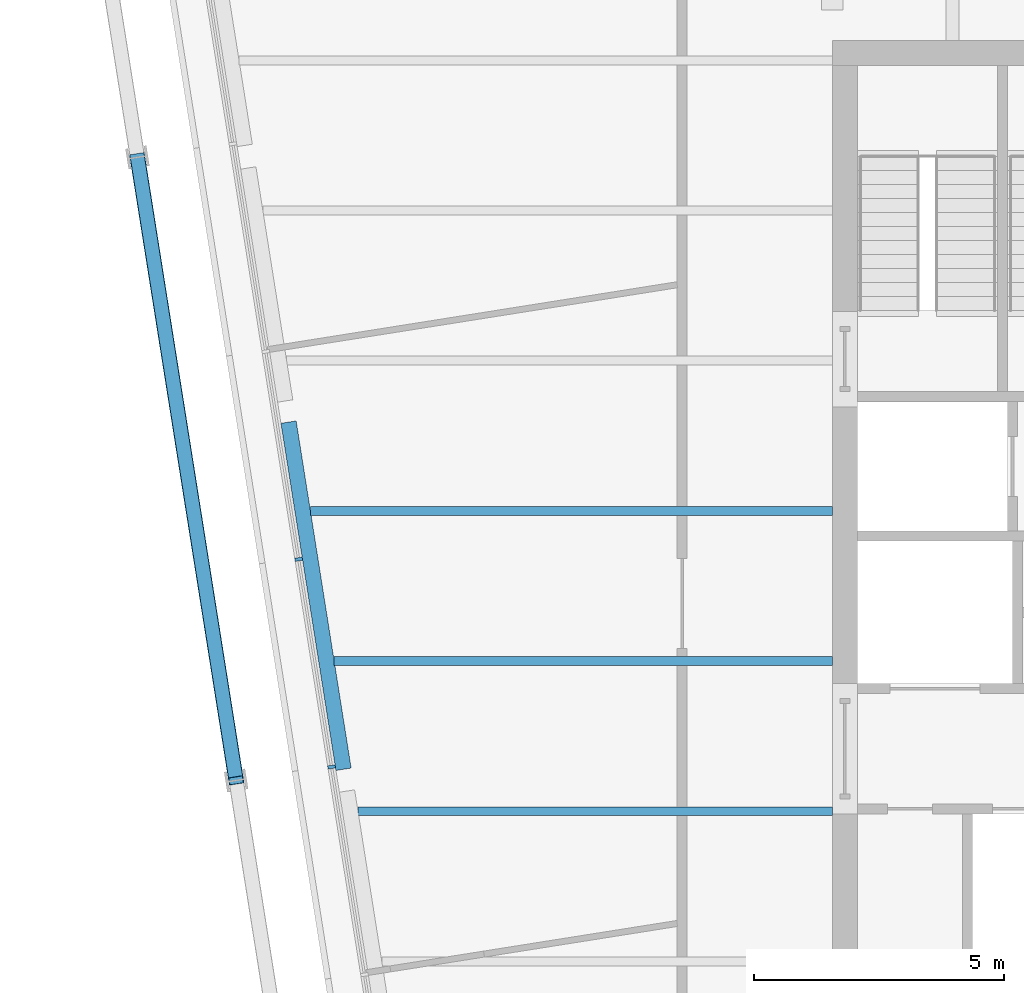
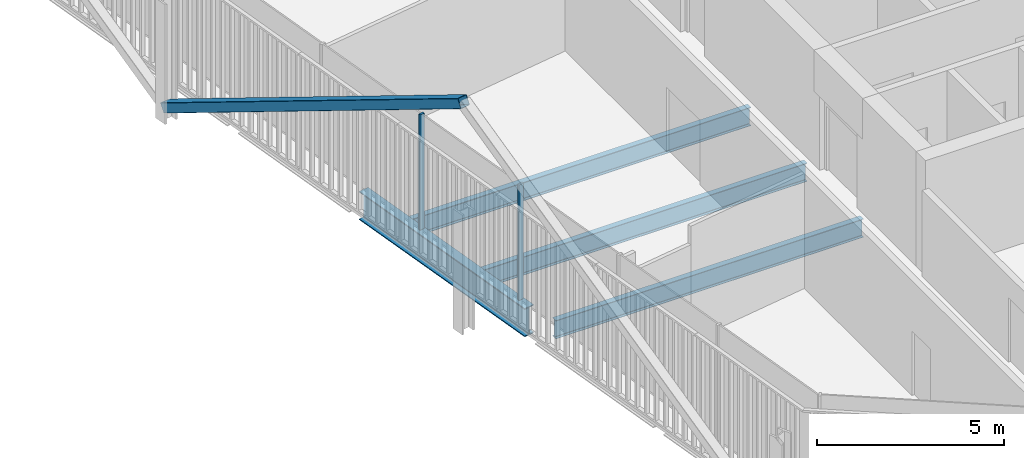
# One storey, part 5 of 20: 4 beams, 3 members, 1 element without a shape of its own.
"""IFC4 building model written with IfcOpenShell, lengths in metres."""

from ifc_helpers import new_model, si_unit, direction, frame, origin, origin_2d, place, context, subcontext, project, spatial, rectangle, hollow_rectangle, i_section, extrude, material, layer, layer_set, material_profile, profile_set, type_object, element, aggregate, save


model = new_model("IFC4")

# Units and contexts
model_context = context("Model", 3, precision=1e-05, world=origin(), true_north=direction((0.0, 1.0)))
body_context = subcontext(model_context, "Body", "Model", "MODEL_VIEW")
ifc_project = project(units=[si_unit("LENGTHUNIT", "METRE"), si_unit("AREAUNIT", "SQUARE_METRE"), si_unit("VOLUMEUNIT", "CUBIC_METRE"), si_unit("PLANEANGLEUNIT", "RADIAN"), si_unit("MASSUNIT", "GRAM", prefix="KILO")], contexts=[model_context])

# Site, building, storey
site_placement = place(None, origin())
site = spatial("IfcSite", under=ifc_project, at=site_placement, CompositionType="ELEMENT")
building_placement = place(site_placement, origin())
building = spatial("IfcBuilding", under=site, at=building_placement, Name="Millrace Tower", CompositionType="ELEMENT")
storey_placement = place(building_placement, frame((0.0, 0.0, 204.699951171875)))
storey = spatial("IfcBuildingStorey", under=building, at=storey_placement, Name="L46", CompositionType="ELEMENT", Elevation=204.699951171875)

# Curtain wall, members
ifc_material_1 = material(Name="Aluminium and glass", Category="aluminium")
ifc_layer = layer(ifc_material_1, 0.14990234375)
ifc_layer_set = layer_set([ifc_layer], Name="Aluminium and glass")
curtain_wall_type = type_object("IfcCurtainWallType", Name="CW-1 office vision curtain wall", PredefinedType="NOTDEFINED", material=ifc_layer_set)
curtain_wall_placement = place(storey_placement, origin())
curtain_wall = element("IfcCurtainWall", 1, at=curtain_wall_placement, inside=storey, type_object=curtain_wall_type, Name="Curtain wall D-F08 L46", PredefinedType="NOTDEFINED")
ifc_material_2 = material(Name="Aluminium", Category="aluminium")
ifc_material_profile_1 = material_profile(ifc_material_2, rectangle(XDim=0.06494140625, YDim=0.14990234375, at=origin_2d()))
ifc_profile_set_1 = profile_set([ifc_material_profile_1], Name="Aluminium")
member_type_1 = type_object("IfcMemberType", Name="CW-1 office vision curtain wall mullion", PredefinedType="MULLION", material=ifc_profile_set_1)
member_1_placement = place(storey_placement, frame((-25.057373046875, -0.966064453125, 0.14013671875), z_axis=(0.0, 0.0, 1.0), x_axis=(0.156434471884, -0.987688339511, 0.0)))
member_1 = element("IfcMember", 2, at=member_1_placement, type_object=member_type_1, Name="CW1 mullion D-F08.6", PredefinedType="MULLION", context=body_context, shape_type="SweptSolid", body=[
    extrude(rectangle(XDim=0.06494140625, YDim=0.14990234375, at=origin_2d()), origin(), (0.0, 0.0, 1.0), 3.760009765625),
])
member_2_placement = place(storey_placement, frame((-24.400390625, -5.1142578125, 0.14013671875), z_axis=(0.0, 0.0, 1.0), x_axis=(0.156434471884, -0.987688339511, 0.0)))
member_2 = element("IfcMember", 3, at=member_2_placement, type_object=member_type_1, Name="CW1 mullion D-F08.7", PredefinedType="MULLION", context=body_context, shape_type="SweptSolid", body=[
    extrude(rectangle(XDim=0.06494140625, YDim=0.14990234375, at=origin_2d()), origin(), (0.0, 0.0, 1.0), 3.760009765625),
])
aggregate(curtain_wall, [member_1, member_2])

# Member
ifc_material_3 = material(Name="Steel ASTM A500 Grade C", Category="steel")
ifc_material_profile_2 = material_profile(ifc_material_3, hollow_rectangle(XDim=0.3046875, YDim=0.3046875, WallThickness=0.0126953125, InnerFilletRadius=0.00634765625, OuterFilletRadius=0.01904296875, at=origin_2d()))
ifc_profile_set_2 = profile_set([ifc_material_profile_2], Name="Steel ASTM A500 Grade C")
member_type_2 = type_object("IfcMemberType", Name="Exoskeleton brace HSS12x12x1/2", PredefinedType="BRACE", material=ifc_profile_set_2)
member_3_placement = place(storey_placement, frame((-28.27783203125, 7.0615234375, 0.400146484375), z_axis=(0.136756701563, -0.863393126764, 0.485643813132), x_axis=(0.987686809102, 0.1564441342, 0.0)))
element("IfcMember", 4, at=member_3_placement, inside=storey, type_object=member_type_2, Name="BRC-D-L46-15", PredefinedType="BRACE", context=body_context, shape_type="SweptSolid", body=[
    extrude(hollow_rectangle(XDim=0.3046875, YDim=0.3046875, WallThickness=0.0126953125, InnerFilletRadius=0.00634765625, OuterFilletRadius=0.01904296875, at=origin_2d()), origin(), (0.0, 0.0, 1.0), 14.413818359375),
])

# Beams
ifc_material_4 = material(Name="Steel ASTM A992 Grade 50", Category="steel")
ifc_material_profile_3 = material_profile(ifc_material_4, i_section(OverallWidth=0.177978515625, OverallDepth=0.599365234375, WebThickness=0.010009765625, FlangeThickness=0.012939453125, FilletRadius=0.012939453125, at=origin_2d()))
ifc_profile_set_3 = profile_set([ifc_material_profile_3], Name="Steel ASTM A992 Grade 50")
beam_type_1 = type_object("IfcBeamType", Name="Floor beam W24x55", PredefinedType="JOIST", material=ifc_profile_set_3)
beam_1_placement = place(storey_placement, frame((-23.872802734375, -6.0, -0.459716796875), z_axis=(1.0, 0.0, 0.0), x_axis=(0.0, 1.0, 0.0)))
element("IfcBeam", 5, at=beam_1_placement, inside=storey, type_object=beam_type_1, Name="BM-D-L46-S1-S009", PredefinedType="JOIST", context=body_context, shape_type="SweptSolid", body=[
    extrude(i_section(OverallWidth=0.177978515625, OverallDepth=0.599365234375, WebThickness=0.010009765625, FlangeThickness=0.012939453125, FilletRadius=0.012939453125, at=origin_2d()), origin(), (0.0, 0.0, 1.0), 9.472900390625),
])
beam_2_placement = place(storey_placement, frame((-24.34814453125, -3.0, -0.459716796875), z_axis=(1.0, 0.0, 0.0), x_axis=(0.0, 1.0, 0.0)))
element("IfcBeam", 6, at=beam_2_placement, inside=storey, type_object=beam_type_1, Name="BM-D-L46-S1-S012", PredefinedType="JOIST", context=body_context, shape_type="SweptSolid", body=[
    extrude(i_section(OverallWidth=0.177978515625, OverallDepth=0.599365234375, WebThickness=0.010009765625, FlangeThickness=0.012939453125, FilletRadius=0.012939453125, at=origin_2d()), origin(), (0.0, 0.0, 1.0), 9.9482421875),
])
ifc_material_5 = material(Name="Steel ASTM A992 Grade 50", Category="steel")
ifc_material_profile_4 = material_profile(ifc_material_5, i_section(OverallWidth=0.1787109375, OverallDepth=0.60205078125, WebThickness=0.010986328125, FlangeThickness=0.014892578125, FilletRadius=0.0126953125, at=origin_2d()))
ifc_profile_set_4 = profile_set([ifc_material_profile_4], Name="Steel ASTM A992 Grade 50")
beam_type_2 = type_object("IfcBeamType", Name="Floor beam W24x62", PredefinedType="JOIST", material=ifc_profile_set_4)
beam_3_placement = place(storey_placement, frame((-24.8232421875, 0.0, -0.4609375), z_axis=(1.0, 0.0, 0.0), x_axis=(0.0, 1.0, 0.0)))
element("IfcBeam", 7, at=beam_3_placement, inside=storey, type_object=beam_type_2, Name="BM-D-L46-S1-S015", PredefinedType="JOIST", context=body_context, shape_type="SweptSolid", body=[
    extrude(i_section(OverallWidth=0.1787109375, OverallDepth=0.60205078125, WebThickness=0.010986328125, FlangeThickness=0.014892578125, FilletRadius=0.0126953125, at=origin_2d()), origin(), (0.0, 0.0, 1.0), 10.42333984375),
])
ifc_material_6 = material(Name="Steel ASTM A992 Grade 50", Category="steel")
ifc_material_profile_5 = material_profile(ifc_material_6, i_section(OverallWidth=0.307373046875, OverallDepth=0.927001953125, WebThickness=0.01953125, FlangeThickness=0.031982421875, FilletRadius=0.01904296875, at=origin_2d()))
ifc_profile_set_5 = profile_set([ifc_material_profile_5], Name="Steel ASTM A992 Grade 50")
beam_type_3 = type_object("IfcBeamType", Name="Ring beam short span W36x194", PredefinedType="SPANDREL", material=ifc_profile_set_5)
beam_4_placement = place(storey_placement, frame((-24.161376953125, -5.160888671875, -0.62353515625), z_axis=(-0.15641971219, 0.987690677104, 0.0), x_axis=(-0.987690677104, -0.15641971219, 0.0)))
element("IfcBeam", 8, at=beam_4_placement, inside=storey, type_object=beam_type_3, Name="RNG-D-L46-S1-02-a", PredefinedType="SPANDREL", context=body_context, shape_type="SweptSolid", body=[
    extrude(i_section(OverallWidth=0.307373046875, OverallDepth=0.927001953125, WebThickness=0.01953125, FlangeThickness=0.031982421875, FilletRadius=0.01904296875, at=origin_2d()), origin(), (0.0, 0.0, 1.0), 7.0205078125),
])

save(model, "model.ifc")
